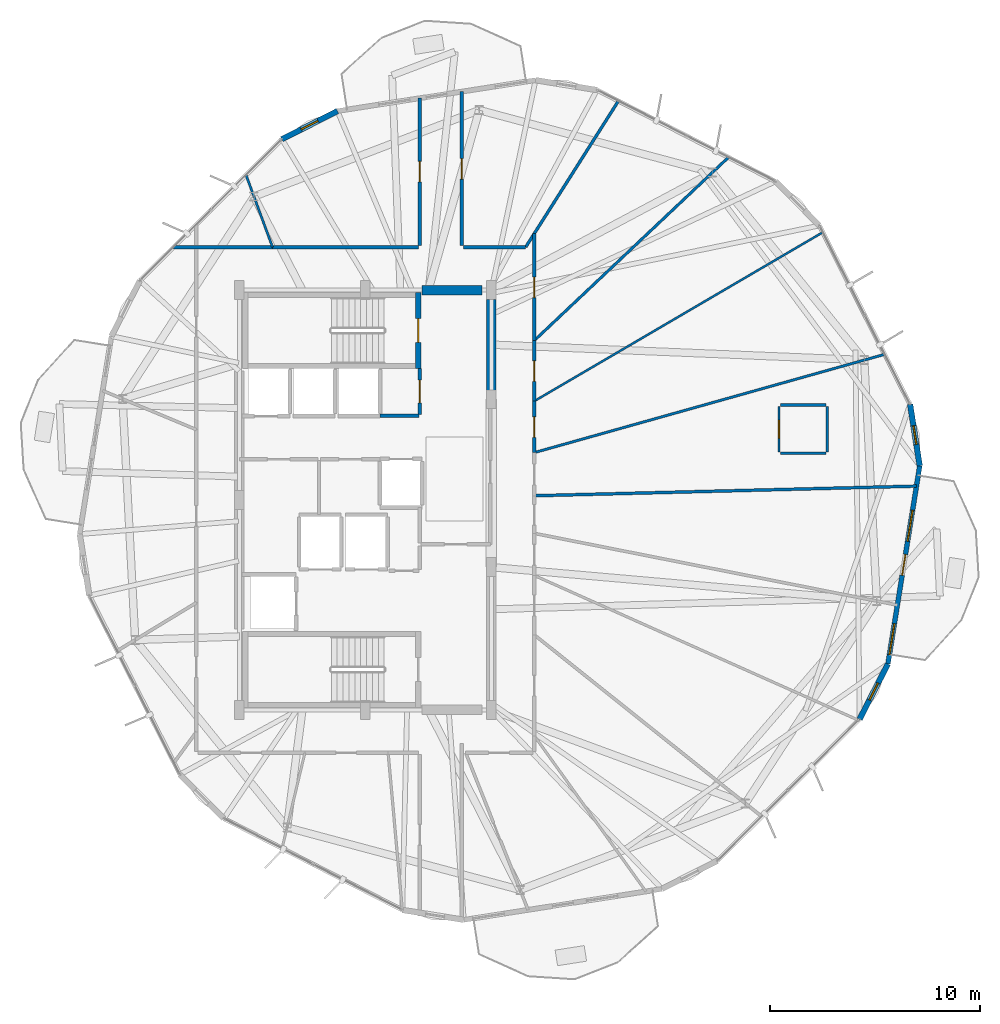
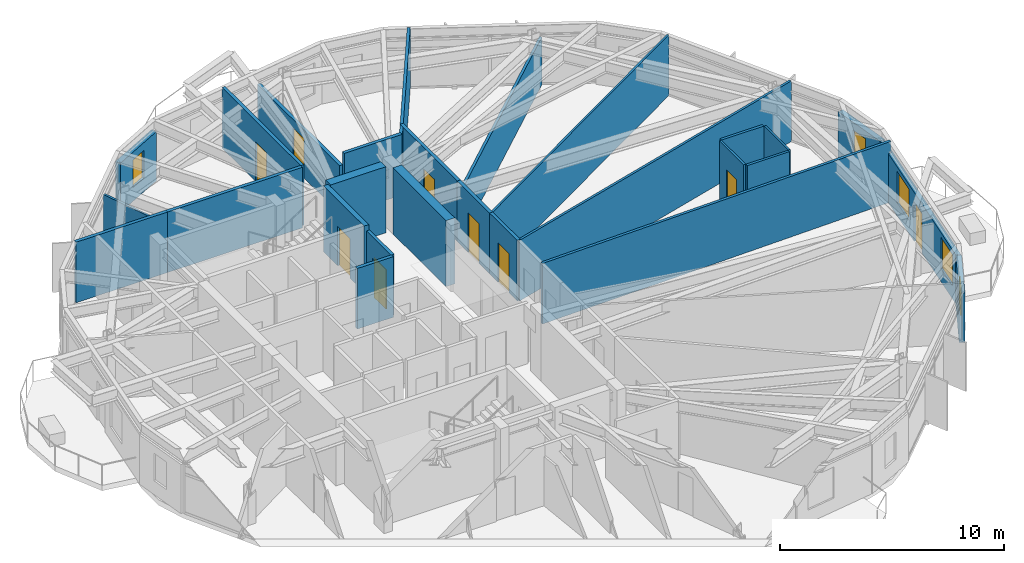
# One storey, part 23 of 27: 27 walls, 9 doors, 5 windows, 14 openings.
"""IFC4 building model written with IfcOpenShell, lengths in metres."""

from ifc_helpers import new_model, si_unit, direction, frame, frame_2d, origin, place, context, subcontext, project, spatial, rectangle, extrude, material, layer, layer_set, type_object, element, fill, save


model = new_model("IFC4")

# Units and contexts
model_context = context("Model", 3, precision=1e-05, world=origin(), true_north=direction((0.0, 1.0)))
body_context = subcontext(model_context, "Body", "Model", "MODEL_VIEW")
ifc_project = project(units=[si_unit("LENGTHUNIT", "METRE"), si_unit("AREAUNIT", "SQUARE_METRE"), si_unit("VOLUMEUNIT", "CUBIC_METRE"), si_unit("PLANEANGLEUNIT", "RADIAN"), si_unit("MASSUNIT", "GRAM", prefix="KILO")], contexts=[model_context])

# Site, building, storey
site_placement = place(None, origin())
site = spatial("IfcSite", under=ifc_project, at=site_placement, CompositionType="ELEMENT")
building_placement = place(site_placement, origin())
building = spatial("IfcBuilding", under=site, at=building_placement, Name="Soratama Intermodal Tower", CompositionType="ELEMENT")
storey_placement = place(building_placement, frame((0.0, 0.0, 197.800048828125)))
storey = spatial("IfcBuildingStorey", under=building, at=storey_placement, Name="L49", CompositionType="ELEMENT", Elevation=197.800048828125)

# Wall, openings, door, windows
ifc_material_1 = material(Name="Concrete f'c 42 MPa", Category="concrete")
ifc_layer_1 = layer(ifc_material_1, 0.22998046875)
ifc_layer_set_1 = layer_set([ifc_layer_1], Name="Concrete f'c 42 MPa")
wall_type_1 = type_object("IfcWallType", Name="EW-BAL-230", PredefinedType="SOLIDWALL", material=ifc_layer_set_1)
wall_1_placement = place(storey_placement, frame((63.49609375, 17.193359375, 0.0), z_axis=(0.0, 0.0, 1.0), x_axis=(0.158485894053, 0.987361241586, 0.0)))
wall_1 = element("IfcWall", 1, at=wall_1_placement, inside=storey, type_object=wall_type_1, Name="L49 Terrace Wall F09", PredefinedType="SOLIDWALL", context=body_context, shape_type="SweptSolid", body=[
    extrude(rectangle(XDim=9.552490234375, YDim=0.22998046875, at=frame_2d((4.7763671875, 0.0))), origin(), (0.0, 0.0, 1.0), 2.678955078125),
])
opening_1_placement = place(wall_1_placement, frame((4.276123046875, 0.0, 0.0)))
opening_1 = element("IfcOpeningElement", 2, at=opening_1_placement, cuts=wall_1, Name="Opening ED-2", PredefinedType="OPENING", context=body_context, shape_type="SweptSolid", body=[
    extrude(rectangle(XDim=1.0, YDim=2.14990234375, at=frame_2d((0.5, 1.074951171875))), frame((0.0, 0.125, 0.0), z_axis=(0.0, -1.0, 0.0), x_axis=(1.0, 0.0, 0.0)), (0.0, 0.0, 1.0), 0.25),
])
opening_2_placement = place(wall_1_placement, frame((0.43994140625, 0.0, 0.719970703125)))
opening_2 = element("IfcOpeningElement", 3, at=opening_2_placement, cuts=wall_1, Name="Opening WN-1", PredefinedType="OPENING", context=body_context, shape_type="SweptSolid", body=[
    extrude(rectangle(XDim=1.5, YDim=1.699951171875, at=frame_2d((0.75, 0.85009765625))), frame((0.0, 0.125, 0.0), z_axis=(0.0, -1.0, 0.0), x_axis=(1.0, 0.0, 0.0)), (0.0, 0.0, 1.0), 0.25),
])
opening_3_placement = place(wall_1_placement, frame((5.916259765625, 0.0, 0.719970703125)))
opening_3 = element("IfcOpeningElement", 4, at=opening_3_placement, cuts=wall_1, Name="Opening WN-1", PredefinedType="OPENING", context=body_context, shape_type="SweptSolid", body=[
    extrude(rectangle(XDim=1.5, YDim=1.699951171875, at=frame_2d((0.75, 0.85009765625))), frame((0.0, 0.125, 0.0), z_axis=(0.0, -1.0, 0.0), x_axis=(1.0, 0.0, 0.0)), (0.0, 0.0, 1.0), 0.25),
])
ifc_material_2 = material(Name="Double-glazed aluminium door", Category="aluminium")
door_type_1 = type_object("IfcDoorType", Name="DR-BAL-1000", OperationType="NOTDEFINED", PredefinedType="DOOR", material=ifc_material_2)
door_1_placement = place(opening_1_placement, origin())
door_1 = element("IfcDoor", 5, at=door_1_placement, inside=storey, type_object=door_type_1, Name="L49 Balcony Door F09", OperationType="SINGLE_SWING_LEFT", OverallHeight=2.14990234375, OverallWidth=1.0, PredefinedType="DOOR", context=body_context, shape_type="SweptSolid", body=[
    extrude(rectangle(XDim=1.0, YDim=2.14990234375, at=frame_2d((0.5, 1.074951171875))), frame((0.0, 0.02490234375, 0.0), z_axis=(0.0, -1.0, 0.0), x_axis=(1.0, 0.0, 0.0)), (0.0, 0.0, 1.0), 0.050048828125),
])
fill(opening_1, door_1)
ifc_material_3 = material(Name="Double-glazed aluminium window", Category="aluminium")
window_type_1 = type_object("IfcWindowType", Name="WN-FAC-1500", PartitioningType="SINGLE_PANEL", PredefinedType="WINDOW", material=ifc_material_3)
window_1_placement = place(opening_2_placement, origin())
window_1 = element("IfcWindow", 6, at=window_1_placement, inside=storey, type_object=window_type_1, Name="L49 Window A F09", OverallHeight=1.699951171875, OverallWidth=1.5, PartitioningType="SINGLE_PANEL", PredefinedType="WINDOW", context=body_context, shape_type="SweptSolid", body=[
    extrude(rectangle(XDim=1.5, YDim=1.699951171875, at=frame_2d((0.75, 0.85009765625))), frame((0.0, 0.030029296875, 0.0), z_axis=(0.0, -1.0, 0.0), x_axis=(1.0, 0.0, 0.0)), (0.0, 0.0, 1.0), 0.06005859375),
])
fill(opening_2, window_1)
window_2_placement = place(opening_3_placement, origin())
window_2 = element("IfcWindow", 7, at=window_2_placement, inside=storey, type_object=window_type_1, Name="L49 Window B F09", OverallHeight=1.699951171875, OverallWidth=1.5, PartitioningType="SINGLE_PANEL", PredefinedType="WINDOW", context=body_context, shape_type="SweptSolid", body=[
    extrude(rectangle(XDim=1.5, YDim=1.699951171875, at=frame_2d((0.75, 0.85009765625))), frame((0.0, 0.030029296875, 0.0), z_axis=(0.0, -1.0, 0.0), x_axis=(1.0, 0.0, 0.0)), (0.0, 0.0, 1.0), 0.06005859375),
])
fill(opening_3, window_2)

# Wall, opening, window
ifc_material_4 = material(Name="Concrete f'c 42 MPa", Category="concrete")
ifc_layer_2 = layer(ifc_material_4, 0.27001953125)
ifc_layer_set_2 = layer_set([ifc_layer_2], Name="Concrete f'c 42 MPa")
wall_type_2 = type_object("IfcWallType", Name="EW-CRN-270", PredefinedType="SOLIDWALL", material=ifc_layer_set_2)
wall_2_placement = place(storey_placement, frame((37.27099609375, 43.528564453125, 0.0), z_axis=(0.0, 0.0, 1.0), x_axis=(-0.891944623655, -0.452144654213, 0.0)))
wall_2 = element("IfcWall", 8, at=wall_2_placement, inside=storey, type_object=wall_type_2, Name="L49 Corner Closure Wall 02", PredefinedType="SOLIDWALL", context=body_context, shape_type="SweptSolid", body=[
    extrude(rectangle(XDim=2.966552734375, YDim=0.27001953125, at=frame_2d((1.4833984375, 0.0))), origin(), (0.0, 0.0, 1.0), 2.678955078125),
])
opening_4_placement = place(wall_2_placement, frame((1.033203125, 0.0, 0.75)))
opening_4 = element("IfcOpeningElement", 9, at=opening_4_placement, cuts=wall_2, Name="Opening WN-6", PredefinedType="OPENING", context=body_context, shape_type="SweptSolid", body=[
    extrude(rectangle(XDim=0.89990234375, YDim=1.5, at=frame_2d((0.449951171875, 0.75))), frame((0.0, 0.14501953125, 0.0), z_axis=(0.0, -1.0, 0.0), x_axis=(1.0, 0.0, 0.0)), (0.0, 0.0, 1.0), 0.2900390625),
])
ifc_material_5 = material(Name="Double-glazed aluminium window", Category="aluminium")
window_type_2 = type_object("IfcWindowType", Name="WN-FAC-900", PartitioningType="SINGLE_PANEL", PredefinedType="WINDOW", material=ifc_material_5)
window_3_placement = place(opening_4_placement, origin())
window_3 = element("IfcWindow", 10, at=window_3_placement, inside=storey, type_object=window_type_2, Name="L49 Corner Window 02", OverallHeight=1.5, OverallWidth=0.89990234375, PartitioningType="SINGLE_PANEL", PredefinedType="WINDOW", context=body_context, shape_type="SweptSolid", body=[
    extrude(rectangle(XDim=0.89990234375, YDim=1.5, at=frame_2d((0.449951171875, 0.75))), frame((0.0, 0.030029296875, 0.0), z_axis=(0.0, -1.0, 0.0), x_axis=(1.0, 0.0, 0.0)), (0.0, 0.0, 1.0), 0.06005859375),
])
fill(opening_4, window_3)

wall_3_placement = place(storey_placement, frame((62.143798828125, 14.552978515625, 0.0), z_axis=(0.0, 0.0, 1.0), x_axis=(0.455850427724, 0.89005639571, 0.0)))
wall_3 = element("IfcWall", 11, at=wall_3_placement, inside=storey, type_object=wall_type_2, Name="L49 Corner Closure Wall 08", PredefinedType="SOLIDWALL", context=body_context, shape_type="SweptSolid", body=[
    extrude(rectangle(XDim=2.966552734375, YDim=0.27001953125, at=frame_2d((1.4833984375, 0.0))), origin(), (0.0, 0.0, 1.0), 2.678955078125),
])
opening_5_placement = place(wall_3_placement, frame((1.033203125, 0.0, 0.75)))
opening_5 = element("IfcOpeningElement", 12, at=opening_5_placement, cuts=wall_3, Name="Opening WN-6", PredefinedType="OPENING", context=body_context, shape_type="SweptSolid", body=[
    extrude(rectangle(XDim=0.89990234375, YDim=1.5, at=frame_2d((0.449951171875, 0.75))), frame((0.0, 0.14501953125, 0.0), z_axis=(0.0, -1.0, 0.0), x_axis=(1.0, 0.0, 0.0)), (0.0, 0.0, 1.0), 0.2900390625),
])
window_4_placement = place(opening_5_placement, origin())
window_4 = element("IfcWindow", 13, at=window_4_placement, inside=storey, type_object=window_type_2, Name="L49 Corner Window 08", OverallHeight=1.5, OverallWidth=0.89990234375, PartitioningType="SINGLE_PANEL", PredefinedType="WINDOW", context=body_context, shape_type="SweptSolid", body=[
    extrude(rectangle(XDim=0.89990234375, YDim=1.5, at=frame_2d((0.449951171875, 0.75))), frame((0.0, 0.030029296875, 0.0), z_axis=(0.0, -1.0, 0.0), x_axis=(1.0, 0.0, 0.0)), (0.0, 0.0, 1.0), 0.06005859375),
])
fill(opening_5, window_4)

wall_4_placement = place(storey_placement, frame((65.010009765625, 26.625, 0.0), z_axis=(0.0, 0.0, 1.0), x_axis=(-0.154301567716, 0.988023798398, 0.0)))
wall_4 = element("IfcWall", 14, at=wall_4_placement, inside=storey, type_object=wall_type_2, Name="L49 Corner Closure Wall 09", PredefinedType="SOLIDWALL", context=body_context, shape_type="SweptSolid", body=[
    extrude(rectangle(XDim=2.966796875, YDim=0.27001953125, at=frame_2d((1.4833984375, 0.0))), origin(), (0.0, 0.0, 1.0), 2.678955078125),
])
opening_6_placement = place(wall_4_placement, frame((1.033203125, 0.0, 0.75)))
opening_6 = element("IfcOpeningElement", 15, at=opening_6_placement, cuts=wall_4, Name="Opening WN-6", PredefinedType="OPENING", context=body_context, shape_type="SweptSolid", body=[
    extrude(rectangle(XDim=0.89990234375, YDim=1.5, at=frame_2d((0.449951171875, 0.75))), frame((0.0, 0.14501953125, 0.0), z_axis=(0.0, -1.0, 0.0), x_axis=(1.0, 0.0, 0.0)), (0.0, 0.0, 1.0), 0.2900390625),
])
window_5_placement = place(opening_6_placement, origin())
window_5 = element("IfcWindow", 16, at=window_5_placement, inside=storey, type_object=window_type_2, Name="L49 Corner Window 09", OverallHeight=1.5, OverallWidth=0.89990234375, PartitioningType="SINGLE_PANEL", PredefinedType="WINDOW", context=body_context, shape_type="SweptSolid", body=[
    extrude(rectangle(XDim=0.89990234375, YDim=1.5, at=frame_2d((0.449951171875, 0.75))), frame((0.0, 0.030029296875, 0.0), z_axis=(0.0, -1.0, 0.0), x_axis=(1.0, 0.0, 0.0)), (0.0, 0.0, 1.0), 0.06005859375),
])
fill(opening_6, window_5)

# Wall, opening, door
ifc_material_6 = material(Name="Fire-rated gypsum stud partition", Category="concrete")
ifc_layer_3 = layer(ifc_material_6, 0.169921875)
ifc_layer_set_3 = layer_set([ifc_layer_3], Name="Fire-rated gypsum stud partition")
wall_type_3 = type_object("IfcWallType", Name="IW-PART-R170", PredefinedType="PARTITIONING", material=ifc_layer_set_3)
wall_5_placement = place(storey_placement, frame((43.199951171875, 44.455078125, 0.0), z_axis=(0.0, 0.0, 1.0), x_axis=(0.0, -1.0, 0.0)))
wall_5 = element("IfcWall", 17, at=wall_5_placement, inside=storey, type_object=wall_type_3, Name="L49 Partition W-L49-TP015", PredefinedType="PARTITIONING", context=body_context, shape_type="SweptSolid", body=[
    extrude(rectangle(XDim=7.3349609375, YDim=0.169921875, at=frame_2d((3.66748046875, 0.0))), origin(), (0.0, 0.0, 1.0), 2.594970703125),
])
opening_7_placement = place(wall_5_placement, frame((3.193115234375, 0.0, 0.0)))
opening_7 = element("IfcOpeningElement", 18, at=opening_7_placement, cuts=wall_5, Name="Opening ID-5", PredefinedType="OPENING", context=body_context, shape_type="SweptSolid", body=[
    extrude(rectangle(XDim=0.97998046875, YDim=2.14990234375, at=frame_2d((0.489990234375, 1.074951171875))), frame((0.0, 0.094970703125, 0.0), z_axis=(0.0, -1.0, 0.0), x_axis=(1.0, 0.0, 0.0)), (0.0, 0.0, 1.0), 0.18994140625),
])
ifc_material_7 = material(Name="Solid hardwood acoustic door", Category="wood")
door_type_2 = type_object("IfcDoorType", Name="DR-OFF-980", OperationType="NOTDEFINED", PredefinedType="DOOR", material=ifc_material_7)
door_2_placement = place(opening_7_placement, origin())
door_2 = element("IfcDoor", 19, at=door_2_placement, inside=storey, type_object=door_type_2, Name="L49 Door D-L49-TP004", OperationType="SINGLE_SWING_LEFT", OverallHeight=2.14990234375, OverallWidth=0.97998046875, PredefinedType="DOOR", context=body_context, shape_type="SweptSolid", body=[
    extrude(rectangle(XDim=0.97998046875, YDim=2.14990234375, at=frame_2d((0.489990234375, 1.074951171875))), frame((0.0, 0.02490234375, 0.0), z_axis=(0.0, -1.0, 0.0), x_axis=(1.0, 0.0, 0.0)), (0.0, 0.0, 1.0), 0.050048828125),
])
fill(opening_7, door_2)

wall_6_placement = place(storey_placement, frame((41.199951171875, 37.1201171875, 0.0), z_axis=(0.0, 0.0, 1.0), x_axis=(0.0, 1.0, 0.0)))
wall_6 = element("IfcWall", 20, at=wall_6_placement, inside=storey, type_object=wall_type_3, Name="L49 Partition W-L49-TP016", PredefinedType="PARTITIONING", context=body_context, shape_type="SweptSolid", body=[
    extrude(rectangle(XDim=7.02197265625, YDim=0.169921875, at=frame_2d((3.510986328125, 0.0))), origin(), (0.0, 0.0, 1.0), 3.300048828125),
])
opening_8_placement = place(wall_6_placement, frame((3.035888671875, 0.0, 0.0)))
opening_8 = element("IfcOpeningElement", 21, at=opening_8_placement, cuts=wall_6, Name="Opening ID-5", PredefinedType="OPENING", context=body_context, shape_type="SweptSolid", body=[
    extrude(rectangle(XDim=0.97998046875, YDim=2.14990234375, at=frame_2d((0.489990234375, 1.074951171875))), frame((0.0, 0.094970703125, 0.0), z_axis=(0.0, -1.0, 0.0), x_axis=(1.0, 0.0, 0.0)), (0.0, 0.0, 1.0), 0.18994140625),
])
door_3_placement = place(opening_8_placement, origin())
door_3 = element("IfcDoor", 22, at=door_3_placement, inside=storey, type_object=door_type_2, Name="L49 Door D-L49-TP005", OperationType="SINGLE_SWING_RIGHT", OverallHeight=2.14990234375, OverallWidth=0.97998046875, PredefinedType="DOOR", context=body_context, shape_type="SweptSolid", body=[
    extrude(rectangle(XDim=0.97998046875, YDim=2.14990234375, at=frame_2d((0.489990234375, 1.074951171875))), frame((0.0, 0.02490234375, 0.0), z_axis=(0.0, -1.0, 0.0), x_axis=(1.0, 0.0, 0.0)), (0.0, 0.0, 1.0), 0.050048828125),
])
fill(opening_8, door_3)

# Wall
wall_7_placement = place(storey_placement, frame((34.177978515625, 37.050048828125, 0.0), z_axis=(0.0, 0.0, 1.0), x_axis=(1.0, 0.0, 0.0)))
element("IfcWall", 23, at=wall_7_placement, inside=storey, type_object=wall_type_3, Name="L49 Partition W-L49-TP017", PredefinedType="PARTITIONING", context=body_context, shape_type="SweptSolid", body=[
    extrude(rectangle(XDim=6.951904296875, YDim=0.169921875, at=frame_2d((3.47607421875, 0.0))), origin(), (0.0, 0.0, 1.0), 3.300048828125),
])

# Wall, opening, door
wall_8_placement = place(storey_placement, frame((46.64990234375, 37.695068359375, 0.0), z_axis=(0.0, 0.0, 1.0), x_axis=(0.0, -1.0, 0.0)))
wall_8 = element("IfcWall", 24, at=wall_8_placement, inside=storey, type_object=wall_type_3, Name="L49 Partition W-L49-TP021", PredefinedType="PARTITIONING", context=body_context, shape_type="SweptSolid", body=[
    extrude(rectangle(XDim=5.09814453125, YDim=0.169921875, at=frame_2d((2.549072265625, 0.0))), origin(), (0.0, 0.0, 1.0), 3.300048828125),
])
opening_9_placement = place(wall_8_placement, frame((2.073974609375, 0.0, 0.0)))
opening_9 = element("IfcOpeningElement", 25, at=opening_9_placement, cuts=wall_8, Name="Opening ID-5", PredefinedType="OPENING", context=body_context, shape_type="SweptSolid", body=[
    extrude(rectangle(XDim=0.97998046875, YDim=2.14990234375, at=frame_2d((0.489990234375, 1.074951171875))), frame((0.0, 0.094970703125, 0.0), z_axis=(0.0, -1.0, 0.0), x_axis=(1.0, 0.0, 0.0)), (0.0, 0.0, 1.0), 0.18994140625),
])
door_4_placement = place(opening_9_placement, origin())
door_4 = element("IfcDoor", 26, at=door_4_placement, inside=storey, type_object=door_type_2, Name="L49 Door D-L49-TP009", OperationType="SINGLE_SWING_RIGHT", OverallHeight=2.14990234375, OverallWidth=0.97998046875, PredefinedType="DOOR", context=body_context, shape_type="SweptSolid", body=[
    extrude(rectangle(XDim=0.97998046875, YDim=2.14990234375, at=frame_2d((0.489990234375, 1.074951171875))), frame((0.0, 0.02490234375, 0.0), z_axis=(0.0, -1.0, 0.0), x_axis=(1.0, 0.0, 0.0)), (0.0, 0.0, 1.0), 0.050048828125),
])
fill(opening_9, door_4)

# Walls
wall_9_placement = place(storey_placement, frame((29.466064453125, 37.050048828125, 0.0), z_axis=(0.0, 0.0, 1.0), x_axis=(1.0, 0.0, 0.0)))
element("IfcWall", 27, at=wall_9_placement, inside=storey, type_object=wall_type_3, Name="L49 Partition W-L49-TP024", PredefinedType="PARTITIONING", context=body_context, shape_type="SweptSolid", body=[
    extrude(rectangle(XDim=4.7119140625, YDim=0.169921875, at=frame_2d((2.35595703125, 0.0))), origin(), (0.0, 0.0, 1.0), 3.300048828125),
])
wall_10_placement = place(storey_placement, frame((43.27001953125, 37.050048828125, 0.0), z_axis=(0.0, 0.0, 1.0), x_axis=(1.0, 0.0, 0.0)))
element("IfcWall", 28, at=wall_10_placement, inside=storey, type_object=wall_type_3, Name="L49 Partition W-L49-TP032", PredefinedType="PARTITIONING", context=body_context, shape_type="SweptSolid", body=[
    extrude(rectangle(XDim=2.970947265625, YDim=0.169921875, at=frame_2d((1.4853515625, 0.0))), origin(), (0.0, 0.0, 1.0), 3.300048828125),
])

# Wall, opening, door
wall_11_placement = place(storey_placement, frame((46.64990234375, 32.596923828125, 0.0), z_axis=(0.0, 0.0, 1.0), x_axis=(0.0, -1.0, 0.0)))
wall_11 = element("IfcWall", 29, at=wall_11_placement, inside=storey, type_object=wall_type_3, Name="L49 Partition W-L49-TP033", PredefinedType="PARTITIONING", context=body_context, shape_type="SweptSolid", body=[
    extrude(rectangle(XDim=2.885986328125, YDim=0.169921875, at=frame_2d((1.44287109375, 0.0))), origin(), (0.0, 0.0, 1.0), 3.300048828125),
])
opening_10_placement = place(wall_11_placement, frame((0.968017578125, 0.0, 0.0)))
opening_10 = element("IfcOpeningElement", 30, at=opening_10_placement, cuts=wall_11, Name="Opening ID-5", PredefinedType="OPENING", context=body_context, shape_type="SweptSolid", body=[
    extrude(rectangle(XDim=0.97998046875, YDim=2.14990234375, at=frame_2d((0.489990234375, 1.074951171875))), frame((0.0, 0.094970703125, 0.0), z_axis=(0.0, -1.0, 0.0), x_axis=(1.0, 0.0, 0.0)), (0.0, 0.0, 1.0), 0.18994140625),
])
door_5_placement = place(opening_10_placement, origin())
door_5 = element("IfcDoor", 31, at=door_5_placement, inside=storey, type_object=door_type_2, Name="L49 Door D-L49-TP015", OperationType="SINGLE_SWING_RIGHT", OverallHeight=2.14990234375, OverallWidth=0.97998046875, PredefinedType="DOOR", context=body_context, shape_type="SweptSolid", body=[
    extrude(rectangle(XDim=0.97998046875, YDim=2.14990234375, at=frame_2d((0.489990234375, 1.074951171875))), frame((0.0, 0.02490234375, 0.0), z_axis=(0.0, -1.0, 0.0), x_axis=(1.0, 0.0, 0.0)), (0.0, 0.0, 1.0), 0.050048828125),
])
fill(opening_10, door_5)

wall_12_placement = place(storey_placement, frame((46.64990234375, 29.7109375, 0.0), z_axis=(0.0, 0.0, 1.0), x_axis=(0.0, -1.0, 0.0)))
wall_12 = element("IfcWall", 32, at=wall_12_placement, inside=storey, type_object=wall_type_3, Name="L49 Partition W-L49-TP037", PredefinedType="PARTITIONING", context=body_context, shape_type="SweptSolid", body=[
    extrude(rectangle(XDim=2.452880859375, YDim=0.169921875, at=frame_2d((1.2265625, 0.0))), origin(), (0.0, 0.0, 1.0), 3.300048828125),
])
opening_11_placement = place(wall_12_placement, frame((0.7509765625, 0.0, 0.0)))
opening_11 = element("IfcOpeningElement", 33, at=opening_11_placement, cuts=wall_12, Name="Opening ID-5", PredefinedType="OPENING", context=body_context, shape_type="SweptSolid", body=[
    extrude(rectangle(XDim=0.97998046875, YDim=2.14990234375, at=frame_2d((0.489990234375, 1.074951171875))), frame((0.0, 0.094970703125, 0.0), z_axis=(0.0, -1.0, 0.0), x_axis=(1.0, 0.0, 0.0)), (0.0, 0.0, 1.0), 0.18994140625),
])
door_6_placement = place(opening_11_placement, origin())
door_6 = element("IfcDoor", 34, at=door_6_placement, inside=storey, type_object=door_type_2, Name="L49 Door D-L49-TP018", OperationType="SINGLE_SWING_LEFT", OverallHeight=2.14990234375, OverallWidth=0.97998046875, PredefinedType="DOOR", context=body_context, shape_type="SweptSolid", body=[
    extrude(rectangle(XDim=0.97998046875, YDim=2.14990234375, at=frame_2d((0.489990234375, 1.074951171875))), frame((0.0, 0.02490234375, 0.0), z_axis=(0.0, -1.0, 0.0), x_axis=(1.0, 0.0, 0.0)), (0.0, 0.0, 1.0), 0.050048828125),
])
fill(opening_11, door_6)

wall_13_placement = place(storey_placement, frame((41.199951171875, 29.070068359375, 0.0), z_axis=(0.0, 0.0, 1.0), x_axis=(0.0, 1.0, 0.0)))
wall_13 = element("IfcWall", 35, at=wall_13_placement, inside=storey, type_object=wall_type_3, Name="L49 Partition W-L49-TP038", PredefinedType="PARTITIONING", context=body_context, shape_type="SweptSolid", body=[
    extrude(rectangle(XDim=2.18994140625, YDim=0.169921875, at=frame_2d((1.094970703125, 0.0))), origin(), (0.0, 0.0, 1.0), 3.300048828125),
])
opening_12_placement = place(wall_13_placement, frame((0.554931640625, 0.0, 0.0)))
opening_12 = element("IfcOpeningElement", 36, at=opening_12_placement, cuts=wall_13, Name="Opening ID-1", PredefinedType="OPENING", context=body_context, shape_type="SweptSolid", body=[
    extrude(rectangle(XDim=1.080078125, YDim=2.14990234375, at=frame_2d((0.5400390625, 1.074951171875))), frame((0.0, 0.094970703125, 0.0), z_axis=(0.0, -1.0, 0.0), x_axis=(1.0, 0.0, 0.0)), (0.0, 0.0, 1.0), 0.18994140625),
])
ifc_material_8 = material(Name="Solid hardwood acoustic door", Category="wood")
door_type_3 = type_object("IfcDoorType", Name="DR-LOB-FD60", OperationType="NOTDEFINED", PredefinedType="DOOR", material=ifc_material_8)
door_7_placement = place(opening_12_placement, origin())
door_7 = element("IfcDoor", 37, at=door_7_placement, inside=storey, type_object=door_type_3, Name="L49 Door D-L49-TP019", OperationType="SINGLE_SWING_RIGHT", OverallHeight=2.14990234375, OverallWidth=1.080078125, PredefinedType="DOOR", context=body_context, shape_type="SweptSolid", body=[
    extrude(rectangle(XDim=1.080078125, YDim=2.14990234375, at=frame_2d((0.5400390625, 1.074951171875))), frame((0.0, 0.02490234375, 0.0), z_axis=(0.0, -1.0, 0.0), x_axis=(1.0, 0.0, 0.0)), (0.0, 0.0, 1.0), 0.050048828125),
])
fill(opening_12, door_7)

# Walls
wall_14_placement = place(storey_placement, frame((39.300048828125, 29.010009765625, 0.0), z_axis=(0.0, 0.0, 1.0), x_axis=(1.0, 0.0, 0.0)))
element("IfcWall", 38, at=wall_14_placement, inside=storey, type_object=wall_type_3, Name="L49 Partition W-L49-TP045", PredefinedType="PARTITIONING", context=body_context, shape_type="SweptSolid", body=[
    extrude(rectangle(XDim=1.85986328125, YDim=0.169921875, at=frame_2d((0.929931640625, 0.0))), origin(), (0.0, 0.0, 1.0), 3.300048828125),
])
ifc_material_9 = material(Name="Fire-rated gypsum stud partition", Category="concrete")
ifc_layer_4 = layer(ifc_material_9, 0.10009765625)
ifc_layer_set_4 = layer_set([ifc_layer_4], Name="Fire-rated gypsum stud partition")
wall_type_4 = type_object("IfcWallType", Name="IW-PART-S100", PredefinedType="PARTITIONING", material=ifc_layer_set_4)
wall_15_placement = place(storey_placement, frame((46.64990234375, 29.7109375, 0.0), z_axis=(0.0, 0.0, 1.0), x_axis=(0.863084226083, 0.505060014936, 0.0)))
element("IfcWall", 39, at=wall_15_placement, inside=storey, type_object=wall_type_4, Name="L49 Partition W-L49-TP005", PredefinedType="PARTITIONING", context=body_context, shape_type="SweptSolid", body=[
    extrude(rectangle(XDim=15.9267578125, YDim=0.10009765625, at=frame_2d((7.96337890625, 0.0))), origin(), (0.0, 0.0, 1.0), 3.300048828125),
])
wall_16_placement = place(storey_placement, frame((60.60693359375, 27.2939453125, 0.0), z_axis=(0.0, 0.0, 1.0), x_axis=(0.0, 1.0, 0.0)))
element("IfcWall", 40, at=wall_16_placement, inside=storey, type_object=wall_type_4, Name="L49 Partition W-L49-TP040", PredefinedType="PARTITIONING", context=body_context, shape_type="SweptSolid", body=[
    extrude(rectangle(XDim=2.16015625, YDim=0.10009765625, at=frame_2d((1.080078125, 0.0))), origin(), (0.0, 0.0, 1.0), 3.300048828125),
])
ifc_material_10 = material(Name="Fire-rated gypsum stud partition", Category="concrete")
ifc_layer_5 = layer(ifc_material_10, 0.110107421875)
ifc_layer_set_5 = layer_set([ifc_layer_5], Name="Fire-rated gypsum stud partition")
wall_type_5 = type_object("IfcWallType", Name="IW-PART-S110", PredefinedType="PARTITIONING", material=ifc_layer_set_5)
wall_17_placement = place(storey_placement, frame((34.177978515625, 37.050048828125, 0.0), z_axis=(0.0, 0.0, 1.0), x_axis=(-0.344756296603, 0.938692226426, 0.0)))
element("IfcWall", 41, at=wall_17_placement, inside=storey, type_object=wall_type_5, Name="L49 Partition W-L49-TP029", PredefinedType="PARTITIONING", context=body_context, shape_type="SweptSolid", body=[
    extrude(rectangle(XDim=3.660400390625, YDim=0.110107421875, at=frame_2d((1.830078125, 0.0))), origin(), (0.0, 0.0, 1.0), 2.594970703125),
])

# Wall, opening, door
wall_18_placement = place(storey_placement, frame((58.306884765625, 29.4541015625, 0.0), z_axis=(0.0, 0.0, 1.0), x_axis=(0.0, -1.0, 0.0)))
wall_18 = element("IfcWall", 42, at=wall_18_placement, inside=storey, type_object=wall_type_5, Name="L49 Partition W-L49-TP039", PredefinedType="PARTITIONING", context=body_context, shape_type="SweptSolid", body=[
    extrude(rectangle(XDim=2.16015625, YDim=0.110107421875, at=frame_2d((1.080078125, 0.0))), origin(), (0.0, 0.0, 1.0), 3.300048828125),
])
opening_13_placement = place(wall_18_placement, frame((0.655029296875, 0.0, 0.0)))
opening_13 = element("IfcOpeningElement", 43, at=opening_13_placement, cuts=wall_18, Name="Opening ID-4", PredefinedType="OPENING", context=body_context, shape_type="SweptSolid", body=[
    extrude(rectangle(XDim=0.85009765625, YDim=2.10009765625, at=frame_2d((0.425048828125, 1.050048828125))), frame((0.0, 0.06494140625, 0.0), z_axis=(0.0, -1.0, 0.0), x_axis=(1.0, 0.0, 0.0)), (0.0, 0.0, 1.0), 0.130126953125),
])
ifc_material_11 = material(Name="Solid hardwood acoustic door", Category="wood")
door_type_4 = type_object("IfcDoorType", Name="DR-BATH-850", OperationType="NOTDEFINED", PredefinedType="DOOR", material=ifc_material_11)
door_8_placement = place(opening_13_placement, origin())
door_8 = element("IfcDoor", 44, at=door_8_placement, inside=storey, type_object=door_type_4, Name="L49 Door D-L49-TP020", OperationType="SINGLE_SWING_LEFT", OverallHeight=2.10009765625, OverallWidth=0.85009765625, PredefinedType="DOOR", context=body_context, shape_type="SweptSolid", body=[
    extrude(rectangle(XDim=0.85009765625, YDim=2.10009765625, at=frame_2d((0.425048828125, 1.050048828125))), frame((0.0, 0.02490234375, 0.0), z_axis=(0.0, -1.0, 0.0), x_axis=(1.0, 0.0, 0.0)), (0.0, 0.0, 1.0), 0.050048828125),
])
fill(opening_13, door_8)

# Walls
ifc_material_12 = material(Name="Fire-rated gypsum stud partition", Category="concrete")
ifc_layer_6 = layer(ifc_material_12, 0.1201171875)
ifc_layer_set_6 = layer_set([ifc_layer_6], Name="Fire-rated gypsum stud partition")
wall_type_6 = type_object("IfcWallType", Name="IW-PART-S120", PredefinedType="PARTITIONING", material=ifc_layer_set_6)
wall_19_placement = place(storey_placement, frame((46.64990234375, 27.258056640625, 0.0), z_axis=(0.0, 0.0, 1.0), x_axis=(0.962851035854, 0.270033114181, 0.0)))
element("IfcWall", 45, at=wall_19_placement, inside=storey, type_object=wall_type_6, Name="L49 Partition W-L49-TP003", PredefinedType="PARTITIONING", context=body_context, shape_type="SweptSolid", body=[
    extrude(rectangle(XDim=17.338134765625, YDim=0.1201171875, at=frame_2d((8.6689453125, 0.0))), origin(), (0.0, 0.0, 1.0), 3.300048828125),
])
ifc_material_13 = material(Name="Fire-rated gypsum stud partition", Category="concrete")
ifc_layer_7 = layer(ifc_material_13, 0.1298828125)
ifc_layer_set_7 = layer_set([ifc_layer_7], Name="Fire-rated gypsum stud partition")
wall_type_7 = type_object("IfcWallType", Name="IW-PART-S130", PredefinedType="PARTITIONING", material=ifc_layer_set_7)
wall_20_placement = place(storey_placement, frame((46.64990234375, 32.596923828125, 0.0), z_axis=(0.0, 0.0, 1.0), x_axis=(0.727292042889, 0.68632811712, 0.0)))
element("IfcWall", 46, at=wall_20_placement, inside=storey, type_object=wall_type_7, Name="L49 Partition W-L49-TP007", PredefinedType="PARTITIONING", context=body_context, shape_type="SweptSolid", body=[
    extrude(rectangle(XDim=12.718505859375, YDim=0.1298828125, at=frame_2d((6.359375, 0.0))), origin(), (0.0, 0.0, 1.0), 2.594970703125),
])
wall_21_placement = place(storey_placement, frame((58.376953125, 27.22412109375, 0.0), z_axis=(0.0, 0.0, 1.0), x_axis=(1.0, 0.0, 0.0)))
element("IfcWall", 47, at=wall_21_placement, inside=storey, type_object=wall_type_7, Name="L49 Partition W-L49-TP042", PredefinedType="PARTITIONING", context=body_context, shape_type="SweptSolid", body=[
    extrude(rectangle(XDim=2.16015625, YDim=0.1298828125, at=frame_2d((1.080078125, 0.0))), origin(), (0.0, 0.0, 1.0), 3.300048828125),
])
ifc_material_14 = material(Name="Fire-rated gypsum stud partition", Category="concrete")
ifc_layer_8 = layer(ifc_material_14, 0.139892578125)
ifc_layer_set_8 = layer_set([ifc_layer_8], Name="Fire-rated gypsum stud partition")
wall_type_8 = type_object("IfcWallType", Name="IW-PART-S140", PredefinedType="PARTITIONING", material=ifc_layer_set_8)
wall_22_placement = place(storey_placement, frame((64.85498046875, 25.660888671875, 0.0), z_axis=(0.0, 0.0, 1.0), x_axis=(-0.999682331807, -0.025203878122, 0.0)))
element("IfcWall", 48, at=wall_22_placement, inside=storey, type_object=wall_type_8, Name="L49 Partition W-L49-TP001", PredefinedType="PARTITIONING", context=body_context, shape_type="SweptSolid", body=[
    extrude(rectangle(XDim=18.2109375, YDim=0.139892578125, at=frame_2d((9.10546875, 0.0))), origin(), (0.0, 0.0, 1.0), 3.300048828125),
])
wall_23_placement = place(storey_placement, frame((46.240966796875, 37.050048828125, 0.0), z_axis=(0.0, 0.0, 1.0), x_axis=(0.535694507072, 0.844411863425, 0.0)))
element("IfcWall", 49, at=wall_23_placement, inside=storey, type_object=wall_type_8, Name="L49 Partition W-L49-TP011", PredefinedType="PARTITIONING", context=body_context, shape_type="SweptSolid", body=[
    extrude(rectangle(XDim=8.24365234375, YDim=0.139892578125, at=frame_2d((4.121826171875, 0.0))), origin(), (0.0, 0.0, 1.0), 3.300048828125),
])
wall_24_placement = place(storey_placement, frame((60.537109375, 29.52392578125, 0.0), z_axis=(0.0, 0.0, 1.0), x_axis=(-1.0, 0.0, 0.0)))
element("IfcWall", 50, at=wall_24_placement, inside=storey, type_object=wall_type_8, Name="L49 Partition W-L49-TP041", PredefinedType="PARTITIONING", context=body_context, shape_type="SweptSolid", body=[
    extrude(rectangle(XDim=2.16015625, YDim=0.139892578125, at=frame_2d((1.080078125, 0.0))), origin(), (0.0, 0.0, 1.0), 3.300048828125),
])
ifc_material_15 = material(Name="Concrete f'c 56 MPa", Category="concrete")
ifc_layer_9 = layer(ifc_material_15, 0.449951171875)
ifc_layer_set_9 = layer_set([ifc_layer_9], Name="Concrete f'c 56 MPa")
wall_type_9 = type_object("IfcWallType", Name="SW-CORE-450", PredefinedType="SHEAR", material=ifc_layer_set_9)
wall_25_placement = place(storey_placement, frame((41.300048828125, 35.0, 0.0), z_axis=(0.0, 0.0, 1.0), x_axis=(1.0, 0.0, 0.0)))
element("IfcWall", 51, at=wall_25_placement, inside=storey, type_object=wall_type_9, Name="L49 Core Shear Wall CW-NE", PredefinedType="SHEAR", context=body_context, shape_type="SweptSolid", body=[
    extrude(rectangle(XDim=2.849853515625, YDim=0.449951171875, at=frame_2d((1.4248046875, 0.0))), origin(), (0.0, 0.0, 1.0), 3.599853515625),
])
wall_26_placement = place(storey_placement, frame((44.60009765625, 29.800048828125, 0.0), z_axis=(0.0, 0.0, 1.0), x_axis=(0.0, 1.0, 0.0)))
element("IfcWall", 52, at=wall_26_placement, inside=storey, type_object=wall_type_9, Name="L49 Core Shear Wall CW-EN", PredefinedType="SHEAR", context=body_context, shape_type="SweptSolid", body=[
    extrude(rectangle(XDim=4.75, YDim=0.449951171875, at=frame_2d((2.375, 0.0))), origin(), (0.0, 0.0, 1.0), 3.599853515625),
])

# Wall, opening, door
ifc_material_16 = material(Name="Concrete f'c 56 MPa", Category="concrete")
ifc_layer_10 = layer(ifc_material_16, 0.239990234375)
ifc_layer_set_10 = layer_set([ifc_layer_10], Name="Concrete f'c 56 MPa")
wall_type_10 = type_object("IfcWallType", Name="SW-STAIR-240", PredefinedType="SHEAR", material=ifc_layer_set_10)
wall_27_placement = place(storey_placement, frame((41.1201171875, 31.260009765625, 0.0), z_axis=(0.0, 0.0, 1.0), x_axis=(0.0, 1.0, 0.0)))
wall_27 = element("IfcWall", 53, at=wall_27_placement, inside=storey, type_object=wall_type_10, Name="L49 ST-2 Shaft Shear Wall E", PredefinedType="SHEAR", context=body_context, shape_type="SweptSolid", body=[
    extrude(rectangle(XDim=3.6298828125, YDim=0.239990234375, at=frame_2d((1.81494140625, 0.0))), origin(), (0.0, 0.0, 1.0), 3.599853515625),
])
opening_14_placement = place(wall_27_placement, frame((1.2548828125, 0.0, 0.0)))
opening_14 = element("IfcOpeningElement", 54, at=opening_14_placement, cuts=wall_27, Name="Opening SD-1", PredefinedType="OPENING", context=body_context, shape_type="SweptSolid", body=[
    extrude(rectangle(XDim=1.1201171875, YDim=2.14990234375, at=frame_2d((0.56005859375, 1.074951171875))), frame((0.0, 0.1298828125, 0.0), z_axis=(0.0, -1.0, 0.0), x_axis=(1.0, 0.0, 0.0)), (0.0, 0.0, 1.0), 0.260009765625),
])
ifc_material_17 = material(Name="Steel fire door", Category="steel")
door_type_5 = type_object("IfcDoorType", Name="DR-STAIR-FD90", OperationType="NOTDEFINED", PredefinedType="DOOR", material=ifc_material_17)
door_9_placement = place(opening_14_placement, origin())
door_9 = element("IfcDoor", 55, at=door_9_placement, inside=storey, type_object=door_type_5, Name="L49 ST-2 Exit Stair Door", OperationType="SINGLE_SWING_RIGHT", OverallHeight=2.14990234375, OverallWidth=1.1201171875, PredefinedType="DOOR", context=body_context, shape_type="SweptSolid", body=[
    extrude(rectangle(XDim=1.1201171875, YDim=2.14990234375, at=frame_2d((0.56005859375, 1.074951171875))), frame((0.0, 0.02490234375, 0.0), z_axis=(0.0, -1.0, 0.0), x_axis=(1.0, 0.0, 0.0)), (0.0, 0.0, 1.0), 0.050048828125),
])
fill(opening_14, door_9)

save(model, "model.ifc")
